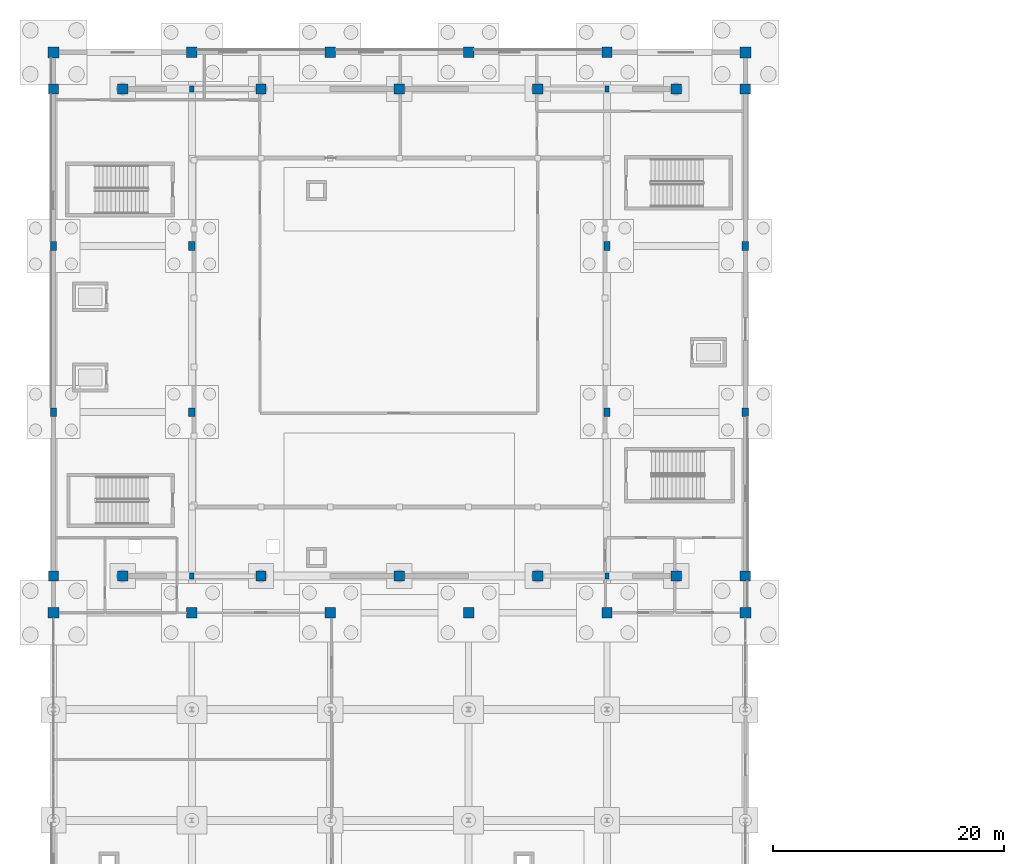
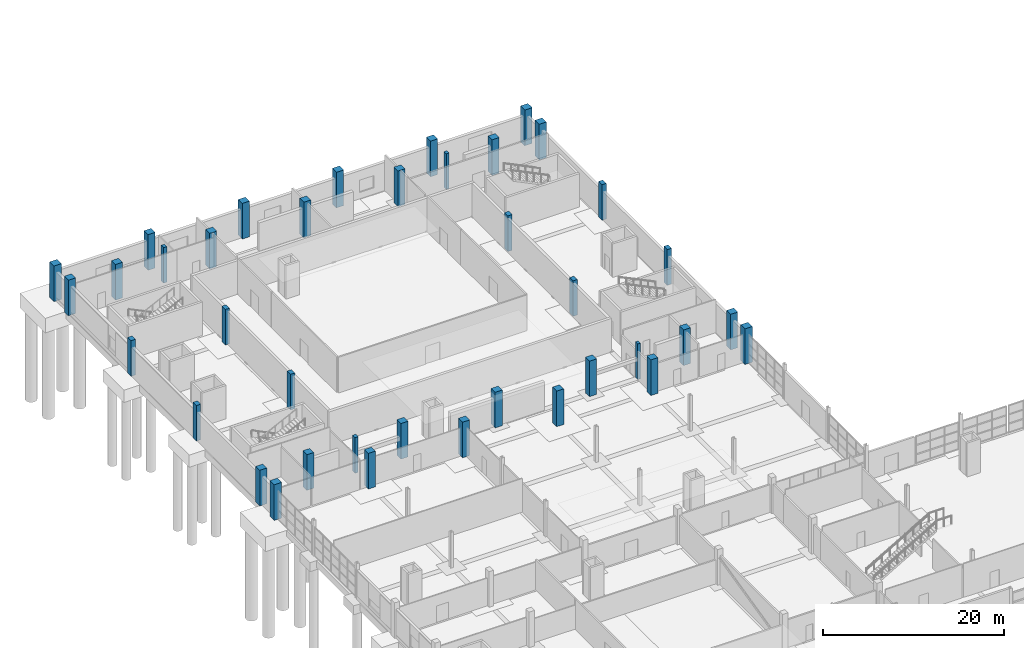
# One storey, part 13 of 82: 38 columns.
"""IFC4 building model written with IfcOpenShell, lengths in metres."""

from ifc_helpers import new_model, si_unit, direction, frame, origin, origin_2d, place, context, subcontext, project, spatial, rectangle, extrude, material, material_profile, profile_set, type_object, element, save


model = new_model("IFC4")

# Units and contexts
model_context = context("Model", 3, precision=1e-05, world=origin(), true_north=direction((0.0, 1.0)))
body_context = subcontext(model_context, "Body", "Model", "MODEL_VIEW")
ifc_project = project(units=[si_unit("LENGTHUNIT", "METRE"), si_unit("AREAUNIT", "SQUARE_METRE"), si_unit("VOLUMEUNIT", "CUBIC_METRE"), si_unit("PLANEANGLEUNIT", "RADIAN"), si_unit("MASSUNIT", "GRAM", prefix="KILO")], contexts=[model_context])

# Site, building, storey
site_placement = place(None, origin())
site = spatial("IfcSite", under=ifc_project, at=site_placement, CompositionType="ELEMENT")
building_placement = place(site_placement, origin())
building = spatial("IfcBuilding", under=site, at=building_placement, Name="Kelmvaro Bay Concert Hall", CompositionType="ELEMENT")
storey_placement = place(building_placement, origin())
storey = spatial("IfcBuildingStorey", under=building, at=storey_placement, Name="L00", CompositionType="ELEMENT", Elevation=0.0)

# Columns
ifc_material_1 = material(Name="Concrete C40/50", Category="concrete")
ifc_material_profile_1 = material_profile(ifc_material_1, rectangle(XDim=0.39990234375, YDim=0.550048828125, at=origin_2d()), Name="RC-PIL-550X400")
ifc_profile_set_1 = profile_set([ifc_material_profile_1], Name="Concrete C40/50")
column_type_1 = type_object("IfcColumnType", Name="Foyer Acoustic Pilaster RC550x400", PredefinedType="PILASTER", material=ifc_profile_set_1)
for number, where, z_axis, x_axis, name in (
    (1, (12.0, 68.580078125, 0.0), (0.0, 0.0, 1.0), (1.0, 0.0, 0.0), "L00 Pilaster PIL-IB-12-6858"),
    (2, (12.0, 110.820068359375, 0.0), (0.0, 0.0, 1.0), (1.0, 0.0, 0.0), "L00 Pilaster PIL-IB-12-11082"),
):
    element("IfcColumn", number, at=place(storey_placement, frame(where, z_axis=z_axis, x_axis=x_axis)), inside=storey, type_object=column_type_1, Name=name, PredefinedType="PILASTER", context=body_context, shape_type="SweptSolid", body=[
        extrude(rectangle(XDim=0.39990234375, YDim=0.550048828125, at=origin_2d()), origin(), (0.0, 0.0, 1.0), 4.800048828125),
    ])
ifc_material_2 = material(Name="Concrete C40/50", Category="concrete")
ifc_material_profile_2 = material_profile(ifc_material_2, rectangle(XDim=0.550048828125, YDim=0.75, at=origin_2d()), Name="RC-COL-750X550")
ifc_profile_set_2 = profile_set([ifc_material_profile_2], Name="Concrete C40/50")
column_type_2 = type_object("IfcColumnType", Name="Gallery Pier Column RC750x550", PredefinedType="COLUMN", material=ifc_profile_set_2)
for number, where, z_axis, x_axis, name in (
    (3, (0.0, 82.800048828125, 0.0), (0.0, 0.0, 1.0), (1.0, 0.0, 0.0), "L00 Column V1G-0-828"),
    (4, (0.0, 97.199951171875, 0.0), (0.0, 0.0, 1.0), (1.0, 0.0, 0.0), "L00 Column V1G-0-972"),
    (5, (12.0, 82.800048828125, 0.0), (0.0, 0.0, 1.0), (1.0, 0.0, 0.0), "L00 Column V1G-12-828"),
    (6, (12.0, 97.199951171875, 0.0), (0.0, 0.0, 1.0), (1.0, 0.0, 0.0), "L00 Column V1G-12-972"),
    (7, (48.0, 82.800048828125, 0.0), (0.0, 0.0, 1.0), (1.0, 0.0, 0.0), "L00 Column V1G-48-828"),
    (8, (48.0, 97.199951171875, 0.0), (0.0, 0.0, 1.0), (1.0, 0.0, 0.0), "L00 Column V1G-48-972"),
    (9, (60.0, 82.800048828125, 0.0), (0.0, 0.0, 1.0), (1.0, 0.0, 0.0), "L00 Column V1G-60-828"),
    (10, (60.0, 97.199951171875, 0.0), (0.0, 0.0, 1.0), (1.0, 0.0, 0.0), "L00 Column V1G-60-972"),
):
    element("IfcColumn", number, at=place(storey_placement, frame(where, z_axis=z_axis, x_axis=x_axis)), inside=storey, type_object=column_type_2, Name=name, PredefinedType="COLUMN", context=body_context, shape_type="SweptSolid", body=[
        extrude(rectangle(XDim=0.550048828125, YDim=0.75, at=origin_2d()), origin(), (0.0, 0.0, 1.0), 4.800048828125),
    ])
ifc_material_3 = material(Name="Concrete C40/50", Category="concrete")
ifc_material_profile_3 = material_profile(ifc_material_3, rectangle(XDim=0.89990234375, YDim=0.89990234375, at=origin_2d()), Name="RC-COL-900X900")
ifc_profile_set_3 = profile_set([ifc_material_profile_3], Name="Concrete C40/50")
column_type_3 = type_object("IfcColumnType", Name="Hall Pier Column RC900x900", PredefinedType="COLUMN", material=ifc_profile_set_3)
for number, where, z_axis, x_axis, name in (
    (11, (12.0, 65.39990234375, 0.0), (0.0, 0.0, 1.0), (1.0, 0.0, 0.0), "L00 Column V1P-12-654"),
    (12, (12.0, 114.0, 0.0), (0.0, 0.0, 1.0), (1.0, 0.0, 0.0), "L00 Column V1P-12-1140"),
    (13, (24.0, 65.39990234375, 0.0), (0.0, 0.0, 1.0), (1.0, 0.0, 0.0), "L00 Column V1P-24-654"),
    (14, (24.0, 114.0, 0.0), (0.0, 0.0, 1.0), (1.0, 0.0, 0.0), "L00 Column V1P-24-1140"),
    (15, (36.0, 65.39990234375, 0.0), (0.0, 0.0, 1.0), (1.0, 0.0, 0.0), "L00 Column V1P-36-654"),
    (16, (36.0, 114.0, 0.0), (0.0, 0.0, 1.0), (1.0, 0.0, 0.0), "L00 Column V1P-36-1140"),
    (17, (48.0, 65.39990234375, 0.0), (0.0, 0.0, 1.0), (1.0, 0.0, 0.0), "L00 Column V1P-48-654"),
    (18, (48.0, 114.0, 0.0), (0.0, 0.0, 1.0), (1.0, 0.0, 0.0), "L00 Column V1P-48-1140"),
    (19, (0.0, 68.580078125, 0.0), (0.0, 0.0, 1.0), (1.0, 0.0, 0.0), "L00 Column V1S-0-6858"),
    (20, (0.0, 110.820068359375, 0.0), (0.0, 0.0, 1.0), (1.0, 0.0, 0.0), "L00 Column V1S-0-11082"),
    (21, (6.0, 68.580078125, 0.0), (0.0, 0.0, 1.0), (1.0, 0.0, 0.0), "L00 Column V1S-6-6858"),
    (22, (6.0, 110.820068359375, 0.0), (0.0, 0.0, 1.0), (1.0, 0.0, 0.0), "L00 Column V1S-6-11082"),
    (23, (18.0, 68.580078125, 0.0), (0.0, 0.0, 1.0), (1.0, 0.0, 0.0), "L00 Column V1S-18-6858"),
    (24, (18.0, 110.820068359375, 0.0), (0.0, 0.0, 1.0), (1.0, 0.0, 0.0), "L00 Column V1S-18-11082"),
    (25, (30.0, 68.580078125, 0.0), (0.0, 0.0, 1.0), (1.0, 0.0, 0.0), "L00 Column V1S-30-6858"),
    (26, (30.0, 110.820068359375, 0.0), (0.0, 0.0, 1.0), (1.0, 0.0, 0.0), "L00 Column V1S-30-11082"),
    (27, (42.0, 68.580078125, 0.0), (0.0, 0.0, 1.0), (1.0, 0.0, 0.0), "L00 Column V1S-42-6858"),
    (28, (42.0, 110.820068359375, 0.0), (0.0, 0.0, 1.0), (1.0, 0.0, 0.0), "L00 Column V1S-42-11082"),
    (29, (54.0, 68.580078125, 0.0), (0.0, 0.0, 1.0), (1.0, 0.0, 0.0), "L00 Column V1S-54-6858"),
    (30, (54.0, 110.820068359375, 0.0), (0.0, 0.0, 1.0), (1.0, 0.0, 0.0), "L00 Column V1S-54-11082"),
    (31, (60.0, 68.580078125, 0.0), (0.0, 0.0, 1.0), (1.0, 0.0, 0.0), "L00 Column V1S-60-6858"),
    (32, (60.0, 110.820068359375, 0.0), (0.0, 0.0, 1.0), (1.0, 0.0, 0.0), "L00 Column V1S-60-11082"),
):
    element("IfcColumn", number, at=place(storey_placement, frame(where, z_axis=z_axis, x_axis=x_axis)), inside=storey, type_object=column_type_3, Name=name, PredefinedType="COLUMN", context=body_context, shape_type="SweptSolid", body=[
        extrude(rectangle(XDim=0.89990234375, YDim=0.89990234375, at=origin_2d()), origin(), (0.0, 0.0, 1.0), 4.800048828125),
    ])
ifc_material_4 = material(Name="Concrete C40/50", Category="concrete")
ifc_material_profile_4 = material_profile(ifc_material_4, rectangle(XDim=0.949951171875, YDim=0.949951171875, at=origin_2d()), Name="RC-COL-950X950")
ifc_profile_set_4 = profile_set([ifc_material_profile_4], Name="Concrete C40/50")
column_type_4 = type_object("IfcColumnType", Name="Shell Corner Pier Column RC950x950", PredefinedType="COLUMN", material=ifc_profile_set_4)
for number, where, z_axis, x_axis, name in (
    (33, (0.0, 65.39990234375, 0.0), (0.0, 0.0, 1.0), (1.0, 0.0, 0.0), "L00 Column V1P-0-654"),
    (34, (0.0, 114.0, 0.0), (0.0, 0.0, 1.0), (1.0, 0.0, 0.0), "L00 Column V1P-0-1140"),
    (35, (60.0, 65.39990234375, 0.0), (0.0, 0.0, 1.0), (1.0, 0.0, 0.0), "L00 Column V1P-60-654"),
    (36, (60.0, 114.0, 0.0), (0.0, 0.0, 1.0), (1.0, 0.0, 0.0), "L00 Column V1P-60-1140"),
):
    element("IfcColumn", number, at=place(storey_placement, frame(where, z_axis=z_axis, x_axis=x_axis)), inside=storey, type_object=column_type_4, Name=name, PredefinedType="COLUMN", context=body_context, shape_type="SweptSolid", body=[
        extrude(rectangle(XDim=0.949951171875, YDim=0.949951171875, at=origin_2d()), origin(), (0.0, 0.0, 1.0), 4.800048828125),
    ])
ifc_material_5 = material(Name="Concrete C40/50", Category="concrete")
ifc_material_profile_5 = material_profile(ifc_material_5, rectangle(XDim=0.35009765625, YDim=0.5, at=origin_2d()), Name="RC-PIL-500X350")
ifc_profile_set_5 = profile_set([ifc_material_profile_5], Name="Concrete C40/50")
column_type_5 = type_object("IfcColumnType", Name="Stage Wall Pilaster RC500x350", PredefinedType="PILASTER", material=ifc_profile_set_5)
for number, where, z_axis, x_axis, name in (
    (37, (48.0, 68.580078125, 0.0), (0.0, 0.0, 1.0), (1.0, 0.0, 0.0), "L00 Pilaster PIL-IB-48-6858"),
    (38, (48.0, 110.820068359375, 0.0), (0.0, 0.0, 1.0), (1.0, 0.0, 0.0), "L00 Pilaster PIL-IB-48-11082"),
):
    element("IfcColumn", number, at=place(storey_placement, frame(where, z_axis=z_axis, x_axis=x_axis)), inside=storey, type_object=column_type_5, Name=name, PredefinedType="PILASTER", context=body_context, shape_type="SweptSolid", body=[
        extrude(rectangle(XDim=0.35009765625, YDim=0.5, at=origin_2d()), origin(), (0.0, 0.0, 1.0), 4.800048828125),
    ])

save(model, "model.ifc")
